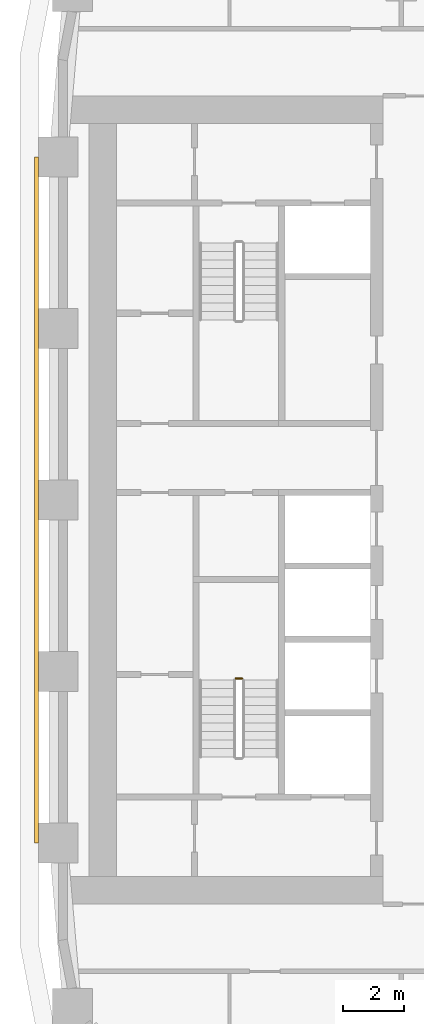
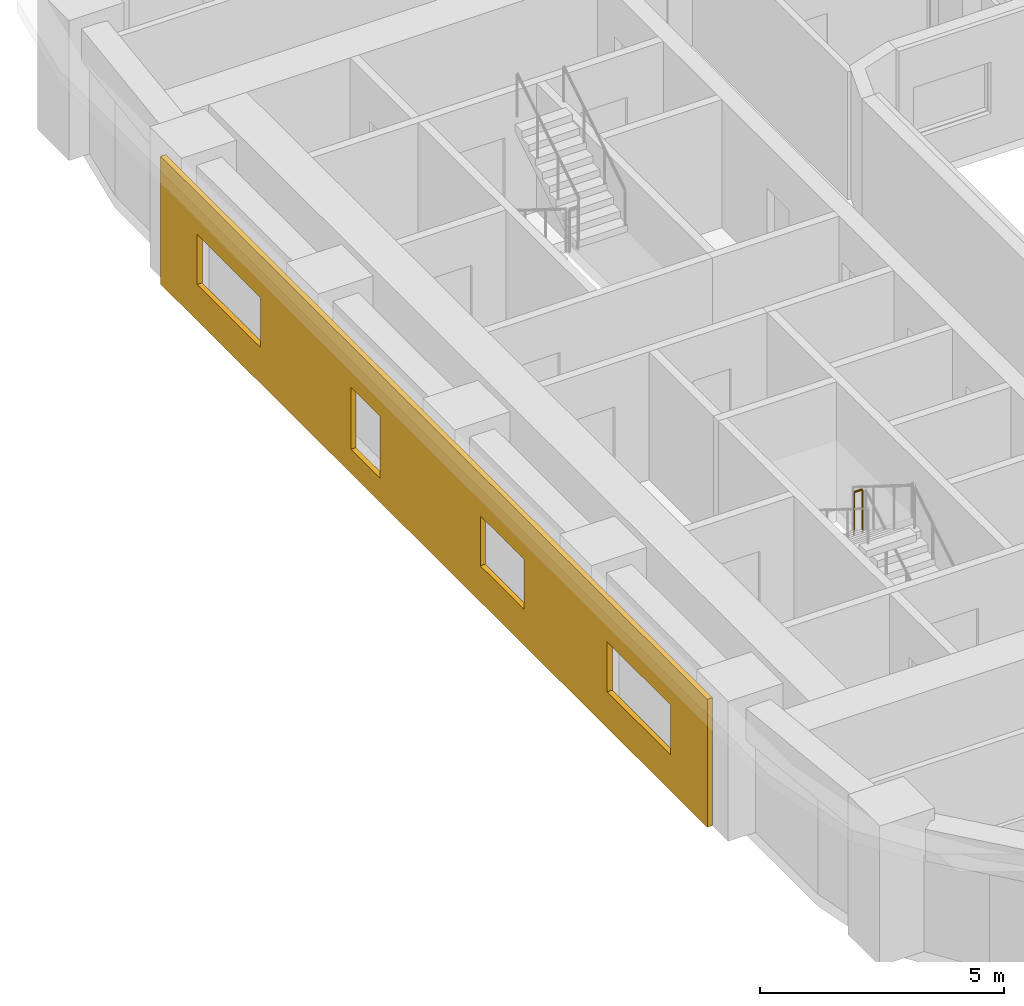
# One storey, part 13 of 21: 1 covering, 1 railing.
"""IFC4 building model written with IfcOpenShell, lengths in metres."""

from ifc_helpers import new_model, si_unit, direction, frame, origin, origin_2d, place, context, subcontext, project, spatial, polyline, circle, outline, extrude, material, layer, layer_set, type_object, element, save


model = new_model("IFC4")

# Units and contexts
model_context = context("Model", 3, precision=1e-05, world=origin(), true_north=direction((0.0, 1.0)))
body_context = subcontext(model_context, "Body", "Model", "MODEL_VIEW")
ifc_project = project(units=[si_unit("LENGTHUNIT", "METRE"), si_unit("AREAUNIT", "SQUARE_METRE"), si_unit("VOLUMEUNIT", "CUBIC_METRE"), si_unit("PLANEANGLEUNIT", "RADIAN"), si_unit("MASSUNIT", "GRAM", prefix="KILO")], contexts=[model_context])

# Site, building, storey
site_placement = place(None, origin())
site = spatial("IfcSite", under=ifc_project, at=site_placement, CompositionType="ELEMENT")
building_placement = place(site_placement, origin())
building = spatial("IfcBuilding", under=site, at=building_placement, Name="Kiln Ring Residences", CompositionType="ELEMENT")
storey_placement = place(building_placement, frame((0.0, 0.0, 100.800048828125)))
storey = spatial("IfcBuildingStorey", under=building, at=storey_placement, Name="L25", CompositionType="ELEMENT", Elevation=100.800048828125)

# Railing
ifc_material_1 = material(Name="Stainless steel", Category="steel")
railing_type = type_object("IfcRailingType", Name="CORE-STAIR-GUARD", PredefinedType="GUARDRAIL", material=ifc_material_1)
railing_placement = place(storey_placement, frame((-22.0, -5.830078125, 1.75)))
element("IfcRailing", 1, at=railing_placement, inside=storey, type_object=railing_type, Name="L25 W-STS stair guard 2", PredefinedType="GUARDRAIL", context=body_context, shape_type="SweptSolid", body=[
    extrude(circle(Radius=0.02392578125, at=origin_2d()), frame((0.0, 0.0, 1.076171875), z_axis=(-1.0, 0.0, 0.0), x_axis=(0.0, -1.0, 0.0)), (0.0, 0.0, 1.0), 0.199951171875),
    extrude(circle(Radius=0.02099609375, at=origin_2d()), origin(), (0.0, 0.0, 1.0), 1.052001953125),
    extrude(circle(Radius=0.02099609375, at=origin_2d()), frame((-0.199951171875, 0.0, 0.0)), (0.0, 0.0, 1.0), 1.052001953125),
])

# Covering
ifc_material_2 = material(Name="Brick masonry, dark clay brick", Category="masonry")
ifc_layer = layer(ifc_material_2, 0.1201171875)
ifc_layer_set = layer_set([ifc_layer], Name="RAINSCREEN PANEL 120")
covering_type = type_object("IfcCoveringType", Name="RAINSCREEN PANEL 120", PredefinedType="CLADDING", material=ifc_layer_set)
covering_placement = place(storey_placement, frame((-28.7099609375, 11.199951171875, 0.0), z_axis=(0.0, 0.0, 1.0), x_axis=(0.0, -1.0, 0.0)))
element("IfcCovering", 2, at=covering_placement, inside=storey, type_object=covering_type, Name="RAINSCREEN L25", PredefinedType="CLADDING", context=body_context, shape_type="SweptSolid", body=[
    extrude(outline(polyline([(0.0, 0.0), (22.39990234375, 0.0), (22.39990234375, 3.199951171875), (0.0, 3.199951171875), (0.0, 0.0)]), holes=[polyline([(9.0, 0.599853515625), (9.0, 2.14990234375), (7.800048828125, 2.14990234375), (7.800048828125, 0.599853515625), (9.0, 0.599853515625)]), polyline([(4.10009765625, 0.89990234375), (4.10009765625, 2.14990234375), (1.5, 2.14990234375), (1.5, 0.89990234375), (4.10009765625, 0.89990234375)]), polyline([(14.89990234375, 0.89990234375), (14.89990234375, 2.14990234375), (13.10009765625, 2.14990234375), (13.10009765625, 0.89990234375), (14.89990234375, 0.89990234375)]), polyline([(20.89990234375, 0.89990234375), (20.89990234375, 2.14990234375), (18.300048828125, 2.14990234375), (18.300048828125, 0.89990234375), (20.89990234375, 0.89990234375)])]), frame((0.0, 0.06005859375, 0.0), z_axis=(0.0, -1.0, 0.0), x_axis=(1.0, 0.0, 0.0)), (0.0, 0.0, 1.0), 0.1201171875),
])

save(model, "model.ifc")
